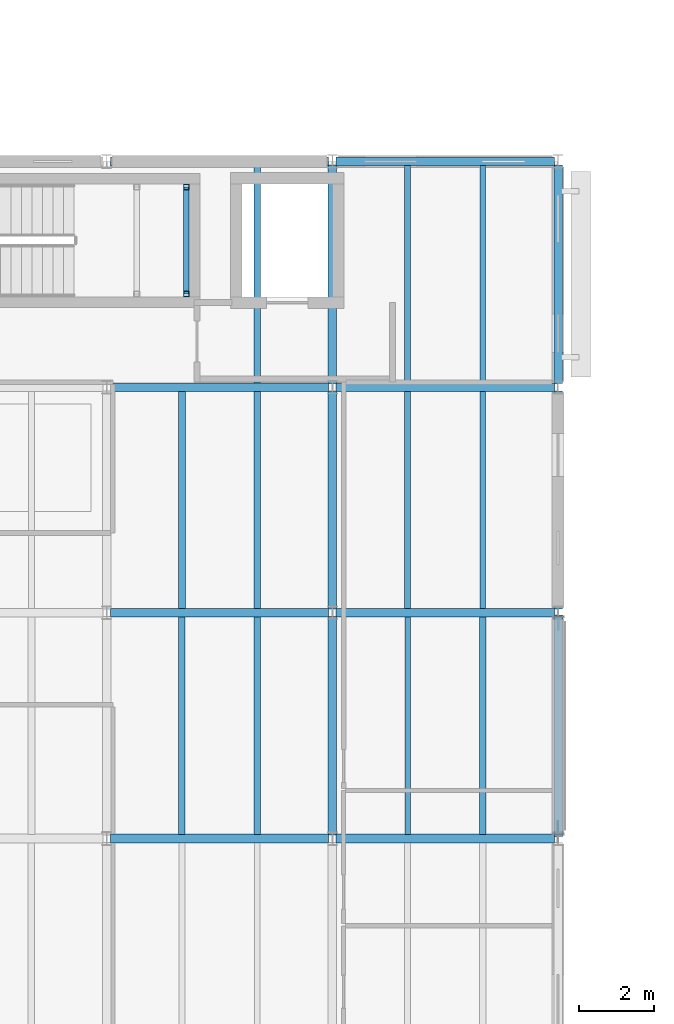
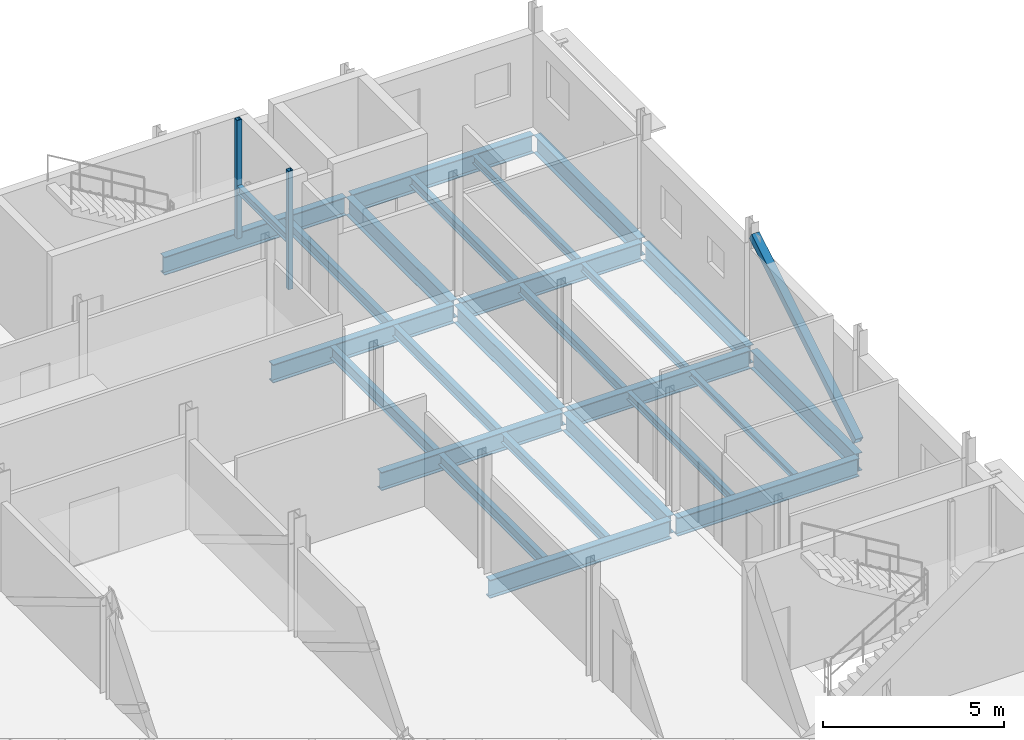
# One storey, part 29 of 92: 26 beams, 3 members.
"""IFC4 building model written with IfcOpenShell, lengths in metres."""

from ifc_helpers import new_model, si_unit, direction, frame, origin, origin_2d, place, context, subcontext, project, spatial, hollow_rectangle, i_section, extrude, material, material_profile, profile_set, type_object, element, save


model = new_model("IFC4")

# Units and contexts
model_context = context("Model", 3, precision=1e-05, world=origin(), true_north=direction((0.0, 1.0)))
body_context = subcontext(model_context, "Body", "Model", "MODEL_VIEW")
ifc_project = project(units=[si_unit("LENGTHUNIT", "METRE"), si_unit("AREAUNIT", "SQUARE_METRE"), si_unit("VOLUMEUNIT", "CUBIC_METRE"), si_unit("PLANEANGLEUNIT", "RADIAN"), si_unit("MASSUNIT", "GRAM", prefix="KILO")], contexts=[model_context])

# Site, building, storey
site_placement = place(None, origin())
site = spatial("IfcSite", under=ifc_project, at=site_placement, CompositionType="ELEMENT")
building_placement = place(site_placement, origin())
building = spatial("IfcBuilding", under=site, at=building_placement, Name="Siltcreek Boulevard Central Fire Station", CompositionType="ELEMENT")
storey_placement = place(building_placement, frame((0.0, 0.0, 6.0)))
storey = spatial("IfcBuildingStorey", under=building, at=storey_placement, Name="L02", CompositionType="ELEMENT", Elevation=6.0)

# Beams
ifc_material_1 = material(Name="Structural steel ASTM A992 Gr50", Category="steel")
ifc_material_profile_1 = material_profile(ifc_material_1, i_section(OverallWidth=0.22802734375, OverallDepth=0.60791015625, WebThickness=0.01123046875, FlangeThickness=0.017333984375, at=origin_2d()), Name="W610X113")
ifc_profile_set_1 = profile_set([ifc_material_profile_1], Name="Structural steel ASTM A992 Gr50")
beam_type_1 = type_object("IfcBeamType", Name="BM_W610X113", PredefinedType="BEAM", material=ifc_profile_set_1)
for number, where, z_axis, x_axis, name in (
    (1, (102.0, 36.10009765625, -0.6240234375), (0.0, 1.0, 0.0), (-1.0, 0.0, 0.0), "L02 primary steel girder GY-0107"),
    (2, (102.0, 42.10009765625, -0.6240234375), (0.0, 1.0, 0.0), (-1.0, 0.0, 0.0), "L02 primary steel girder GY-0108"),
    (3, (102.0, 48.10009765625, -0.6240234375), (0.0, 1.0, 0.0), (-1.0, 0.0, 0.0), "L02 primary steel girder GY-0109"),
    (4, (108.0, 36.10009765625, -0.6240234375), (0.0, 1.0, 0.0), (-1.0, 0.0, 0.0), "L02 primary steel girder GY-0113"),
    (5, (108.0, 42.10009765625, -0.6240234375), (0.0, 1.0, 0.0), (-1.0, 0.0, 0.0), "L02 primary steel girder GY-0114"),
    (6, (108.0, 48.10009765625, -0.6240234375), (0.0, 1.0, 0.0), (-1.0, 0.0, 0.0), "L02 primary steel girder GY-0115"),
):
    element("IfcBeam", number, at=place(storey_placement, frame(where, z_axis=z_axis, x_axis=x_axis)), inside=storey, type_object=beam_type_1, Name=name, PredefinedType="BEAM", context=body_context, shape_type="SweptSolid", body=[
        extrude(i_section(OverallWidth=0.22802734375, OverallDepth=0.60791015625, WebThickness=0.01123046875, FlangeThickness=0.017333984375, at=origin_2d()), origin(), (0.0, 0.0, 1.0), 5.7998046875),
    ])
ifc_material_profile_2 = material_profile(ifc_material_1, i_section(OverallWidth=0.22998046875, OverallDepth=0.616943359375, WebThickness=0.01318359375, FlangeThickness=0.022216796875, at=origin_2d()), Name="W610X140")
ifc_profile_set_2 = profile_set([ifc_material_profile_2], Name="Structural steel ASTM A992 Gr50")
beam_type_2 = type_object("IfcBeamType", Name="BM_W610X140", PredefinedType="BEAM", material=ifc_profile_set_2)
for number, where, z_axis, x_axis, name in (
    (7, (96.10009765625, 36.0, -0.62841796875), (1.0, 0.0, 0.0), (0.0, 1.0, 0.0), "L02 primary steel girder GX-0070"),
    (8, (102.10009765625, 36.0, -0.62841796875), (1.0, 0.0, 0.0), (0.0, 1.0, 0.0), "L02 primary steel girder GX-0071"),
    (9, (96.10009765625, 42.0, -0.62841796875), (1.0, 0.0, 0.0), (0.0, 1.0, 0.0), "L02 primary steel girder GX-0077"),
    (10, (102.10009765625, 42.0, -0.62841796875), (1.0, 0.0, 0.0), (0.0, 1.0, 0.0), "L02 primary steel girder GX-0078"),
    (11, (96.10009765625, 48.0, -0.62841796875), (1.0, 0.0, 0.0), (0.0, 1.0, 0.0), "L02 primary steel girder GX-0084"),
    (12, (102.10009765625, 48.0, -0.62841796875), (1.0, 0.0, 0.0), (0.0, 1.0, 0.0), "L02 primary steel girder GX-0085"),
    (13, (96.10009765625, 54.0, -0.62841796875), (1.0, 0.0, 0.0), (0.0, 1.0, 0.0), "L02 primary steel girder GX-0091"),
    (14, (102.10009765625, 54.0, -0.62841796875), (1.0, 0.0, 0.0), (0.0, 1.0, 0.0), "L02 primary steel girder GX-0092"),
):
    element("IfcBeam", number, at=place(storey_placement, frame(where, z_axis=z_axis, x_axis=x_axis)), inside=storey, type_object=beam_type_2, Name=name, PredefinedType="BEAM", context=body_context, shape_type="SweptSolid", body=[
        extrude(i_section(OverallWidth=0.22998046875, OverallDepth=0.616943359375, WebThickness=0.01318359375, FlangeThickness=0.022216796875, at=origin_2d()), origin(), (0.0, 0.0, 1.0), 5.7998046875),
    ])

# Members
ifc_material_2 = material(Name="Structural steel ASTM A500 GrC", Category="steel")
ifc_material_profile_3 = material_profile(ifc_material_2, hollow_rectangle(XDim=0.14990234375, YDim=0.14990234375, WallThickness=0.008056640625, at=origin_2d()), Name="HSS150X150X8.0")
ifc_profile_set_3 = profile_set([ifc_material_profile_3], Name="Structural steel ASTM A500 GrC")
member_type_1 = type_object("IfcMemberType", Name="BR_HSS150_8", PredefinedType="BRACE", material=ifc_profile_set_3)
for number, where, z_axis, x_axis, name in (
    (15, (98.1201171875, 50.47998046875, 0.0), (0.0, 0.0, 1.0), (1.0, 0.0, 0.0), "L02 ST-V2A stair landing corner post SE"),
    (16, (98.1201171875, 53.320068359375, 0.0), (0.0, 0.0, 1.0), (1.0, 0.0, 0.0), "L02 ST-V2A stair landing corner post NE"),
):
    element("IfcMember", number, at=place(storey_placement, frame(where, z_axis=z_axis, x_axis=x_axis)), inside=storey, type_object=member_type_1, Name=name, PredefinedType="BRACE", context=body_context, shape_type="SweptSolid", body=[
        extrude(hollow_rectangle(XDim=0.14990234375, YDim=0.14990234375, WallThickness=0.008056640625, at=origin_2d()), origin(), (0.0, 0.0, 1.0), 4.0),
    ])
ifc_material_profile_4 = material_profile(ifc_material_2, hollow_rectangle(XDim=0.25, YDim=0.25, WallThickness=0.009521484375, at=origin_2d()), Name="HSS250X250X9.5")
ifc_profile_set_4 = profile_set([ifc_material_profile_4], Name="Structural steel ASTM A500 GrC")
member_type_2 = type_object("IfcMemberType", Name="BR_HSS250_9", PredefinedType="BRACE", material=ifc_profile_set_4)
member_placement = place(storey_placement, frame((108.0, 36.1201171875, 0.10009765625), z_axis=(0.0, 0.857880912355, 0.513848557667), x_axis=(-1.0, 0.0, 0.0)))
element("IfcMember", 17, at=member_placement, inside=storey, type_object=member_type_2, Name="L02 buckling-restrained brace BR-009", PredefinedType="BRACE", context=body_context, shape_type="SweptSolid", body=[
    extrude(hollow_rectangle(XDim=0.25, YDim=0.25, WallThickness=0.009521484375, at=origin_2d()), origin(), (0.0, 0.0, 1.0), 6.7138671875),
])

# Beams
ifc_material_profile_5 = material_profile(ifc_material_1, i_section(OverallWidth=0.1650390625, OverallDepth=0.200927734375, WebThickness=0.006103515625, FlangeThickness=0.01025390625, at=origin_2d()), Name="W200X36")
ifc_profile_set_5 = profile_set([ifc_material_profile_5], Name="Structural steel ASTM A992 Gr50")
beam_type_3 = type_object("IfcBeamType", Name="JST_W200X36", PredefinedType="JOIST", material=ifc_profile_set_5)
beam_1_placement = place(storey_placement, frame((106.0, 36.113037109375, -0.42041015625), z_axis=(0.0, 1.0, 0.0), x_axis=(-1.0, 0.0, 0.0)))
element("IfcBeam", 18, at=beam_1_placement, inside=storey, type_object=beam_type_3, Name="L02 secondary steel floor joist 0082", PredefinedType="JOIST", context=body_context, shape_type="SweptSolid", body=[
    extrude(i_section(OverallWidth=0.1650390625, OverallDepth=0.200927734375, WebThickness=0.006103515625, FlangeThickness=0.01025390625, at=origin_2d()), origin(), (0.0, 0.0, 1.0), 5.77392578125),
])
ifc_material_profile_6 = material_profile(ifc_material_1, i_section(OverallWidth=0.14697265625, OverallDepth=0.261962890625, WebThickness=0.006591796875, FlangeThickness=0.01123046875, at=origin_2d()), Name="W250X39")
ifc_profile_set_6 = profile_set([ifc_material_profile_6], Name="Structural steel ASTM A992 Gr50")
beam_type_4 = type_object("IfcBeamType", Name="JST_W250X39", PredefinedType="JOIST", material=ifc_profile_set_6)
for number, where, z_axis, x_axis, name in (
    (19, (104.0, 36.113037109375, -0.450927734375), (0.0, 1.0, 0.0), (-1.0, 0.0, 0.0), "L02 secondary steel floor joist 0081"),
    (20, (106.0, 42.113037109375, -0.450927734375), (0.0, 1.0, 0.0), (-1.0, 0.0, 0.0), "L02 secondary steel floor joist 0096"),
    (21, (106.0, 48.113037109375, -0.450927734375), (0.0, 1.0, 0.0), (-1.0, 0.0, 0.0), "L02 secondary steel floor joist 0106"),
):
    element("IfcBeam", number, at=place(storey_placement, frame(where, z_axis=z_axis, x_axis=x_axis)), inside=storey, type_object=beam_type_4, Name=name, PredefinedType="JOIST", context=body_context, shape_type="SweptSolid", body=[
        extrude(i_section(OverallWidth=0.14697265625, OverallDepth=0.261962890625, WebThickness=0.006591796875, FlangeThickness=0.01123046875, at=origin_2d()), origin(), (0.0, 0.0, 1.0), 5.77392578125),
    ])
beam_2_placement = place(storey_placement, frame((98.1201171875, 50.47998046875, 1.6689453125), z_axis=(0.0, 1.0, 0.0), x_axis=(-1.0, 0.0, 0.0)))
element("IfcBeam", 22, at=beam_2_placement, inside=storey, type_object=beam_type_4, Name="L02 ST-V2A stair landing bearer MIDE", PredefinedType="JOIST", context=body_context, shape_type="SweptSolid", body=[
    extrude(i_section(OverallWidth=0.14697265625, OverallDepth=0.261962890625, WebThickness=0.006591796875, FlangeThickness=0.01123046875, at=origin_2d()), origin(), (0.0, 0.0, 1.0), 2.840087890625),
])
ifc_material_profile_7 = material_profile(ifc_material_1, i_section(OverallWidth=0.166015625, OverallDepth=0.31298828125, WebThickness=0.006591796875, FlangeThickness=0.01123046875, at=origin_2d()), Name="W310X45")
ifc_profile_set_7 = profile_set([ifc_material_profile_7], Name="Structural steel ASTM A992 Gr50")
beam_type_5 = type_object("IfcBeamType", Name="JST_W310X45", PredefinedType="JOIST", material=ifc_profile_set_7)
for number, where, z_axis, x_axis, name in (
    (23, (100.0, 36.113037109375, -0.4765625), (0.0, 1.0, 0.0), (-1.0, 0.0, 0.0), "L02 secondary steel floor joist 0080"),
    (24, (104.0, 42.113037109375, -0.4765625), (0.0, 1.0, 0.0), (-1.0, 0.0, 0.0), "L02 secondary steel floor joist 0095"),
    (25, (104.0, 48.113037109375, -0.4765625), (0.0, 1.0, 0.0), (-1.0, 0.0, 0.0), "L02 secondary steel floor joist 0105"),
):
    element("IfcBeam", number, at=place(storey_placement, frame(where, z_axis=z_axis, x_axis=x_axis)), inside=storey, type_object=beam_type_5, Name=name, PredefinedType="JOIST", context=body_context, shape_type="SweptSolid", body=[
        extrude(i_section(OverallWidth=0.166015625, OverallDepth=0.31298828125, WebThickness=0.006591796875, FlangeThickness=0.01123046875, at=origin_2d()), origin(), (0.0, 0.0, 1.0), 5.77392578125),
    ])
ifc_material_profile_8 = material_profile(ifc_material_1, i_section(OverallWidth=0.172119140625, OverallDepth=0.35791015625, WebThickness=0.0078125, FlangeThickness=0.01318359375, at=origin_2d()), Name="W360X57")
ifc_profile_set_8 = profile_set([ifc_material_profile_8], Name="Structural steel ASTM A992 Gr50")
beam_type_6 = type_object("IfcBeamType", Name="JST_W360X57", PredefinedType="JOIST", material=ifc_profile_set_8)
for number, where, z_axis, x_axis, name in (
    (26, (98.0, 36.113037109375, -0.4990234375), (0.0, 1.0, 0.0), (-1.0, 0.0, 0.0), "L02 secondary steel floor joist 0079"),
    (27, (100.0, 42.113037109375, -0.4990234375), (0.0, 1.0, 0.0), (-1.0, 0.0, 0.0), "L02 secondary steel floor joist 0094"),
    (28, (100.0, 48.113037109375, -0.4990234375), (0.0, 1.0, 0.0), (-1.0, 0.0, 0.0), "L02 secondary steel floor joist 0104"),
):
    element("IfcBeam", number, at=place(storey_placement, frame(where, z_axis=z_axis, x_axis=x_axis)), inside=storey, type_object=beam_type_6, Name=name, PredefinedType="JOIST", context=body_context, shape_type="SweptSolid", body=[
        extrude(i_section(OverallWidth=0.172119140625, OverallDepth=0.35791015625, WebThickness=0.0078125, FlangeThickness=0.01318359375, at=origin_2d()), origin(), (0.0, 0.0, 1.0), 5.77392578125),
    ])
ifc_material_profile_9 = material_profile(ifc_material_1, i_section(OverallWidth=0.177001953125, OverallDepth=0.403076171875, WebThickness=0.007568359375, FlangeThickness=0.010986328125, at=origin_2d()), Name="W410X53")
ifc_profile_set_9 = profile_set([ifc_material_profile_9], Name="Structural steel ASTM A992 Gr50")
beam_type_7 = type_object("IfcBeamType", Name="JST_W410X53", PredefinedType="JOIST", material=ifc_profile_set_9)
beam_3_placement = place(storey_placement, frame((98.0, 42.113037109375, -0.521484375), z_axis=(0.0, 1.0, 0.0), x_axis=(-1.0, 0.0, 0.0)))
element("IfcBeam", 29, at=beam_3_placement, inside=storey, type_object=beam_type_7, Name="L02 secondary steel floor joist 0093", PredefinedType="JOIST", context=body_context, shape_type="SweptSolid", body=[
    extrude(i_section(OverallWidth=0.177001953125, OverallDepth=0.403076171875, WebThickness=0.007568359375, FlangeThickness=0.010986328125, at=origin_2d()), origin(), (0.0, 0.0, 1.0), 5.77392578125),
])

save(model, "model.ifc")
